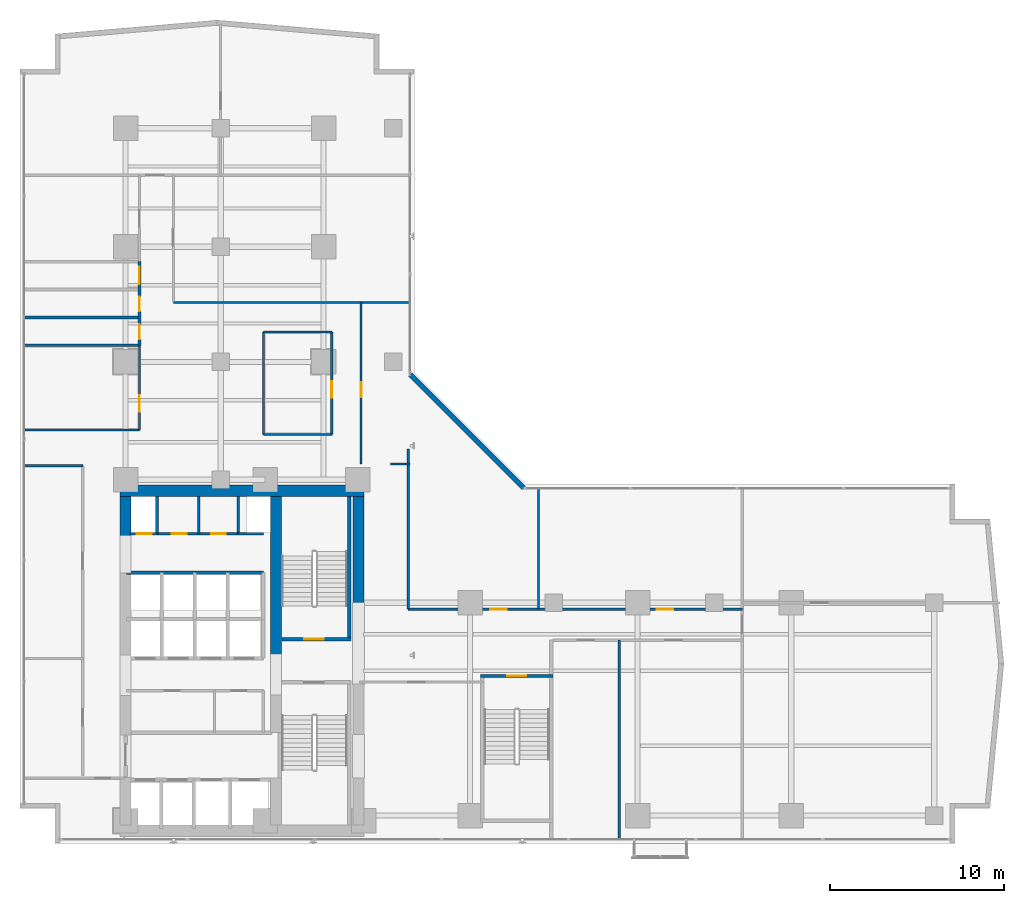
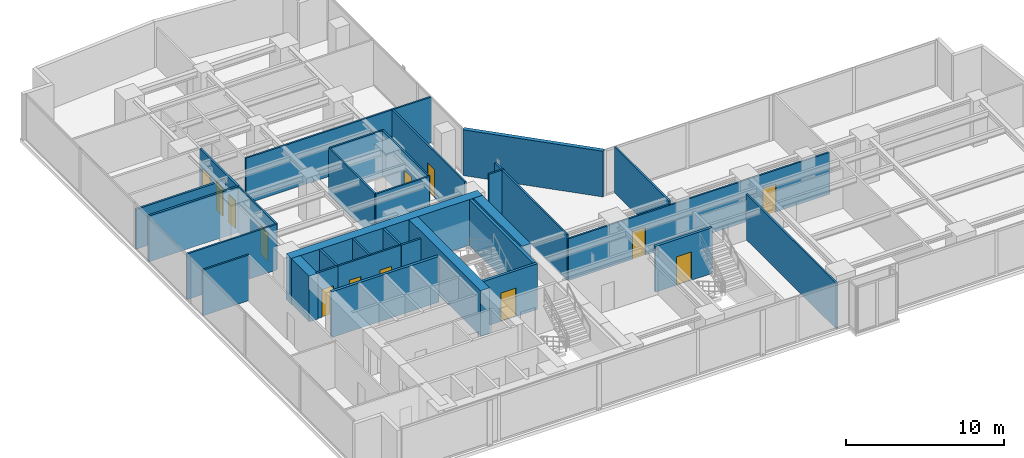
# One storey, part 21 of 28: 32 walls, 13 doors, 13 openings.
"""IFC4 building model written with IfcOpenShell, lengths in metres."""

from ifc_helpers import new_model, si_unit, direction, frame, frame_2d, origin, place, context, subcontext, project, spatial, rectangle, extrude, material, layer, layer_set, type_object, element, fill, save


model = new_model("IFC4")

# Units and contexts
model_context = context("Model", 3, precision=1e-05, world=origin(), true_north=direction((0.0, 1.0)))
body_context = subcontext(model_context, "Body", "Model", "MODEL_VIEW")
ifc_project = project(units=[si_unit("LENGTHUNIT", "METRE"), si_unit("AREAUNIT", "SQUARE_METRE"), si_unit("VOLUMEUNIT", "CUBIC_METRE"), si_unit("PLANEANGLEUNIT", "RADIAN"), si_unit("MASSUNIT", "GRAM", prefix="KILO")], contexts=[model_context])

# Site, building, storey
site_placement = place(None, origin())
site = spatial("IfcSite", under=ifc_project, at=site_placement, CompositionType="ELEMENT")
building_placement = place(site_placement, origin())
building = spatial("IfcBuilding", under=site, at=building_placement, Name="Kolvaren Waterfront Exchange", CompositionType="ELEMENT")
storey_placement = place(building_placement, frame((0.0, 0.0, 133.5)))
storey = spatial("IfcBuildingStorey", under=building, at=storey_placement, Name="L34", CompositionType="ELEMENT", Elevation=133.5)

# Wall
ifc_material_1 = material(Name="Precast concrete C40/50", Category="concrete")
ifc_layer_1 = layer(ifc_material_1, 0.280029296875, Name="Precast concrete C40/50")
ifc_layer_set_1 = layer_set([ifc_layer_1], Name="Precast concrete C40/50")
wall_type_1 = type_object("IfcWallType", Name="ARC-EXT-TERR-280", PredefinedType="SOLIDWALL", material=ifc_layer_set_1)
wall_1_placement = place(storey_placement, frame((30.284912109375, 23.97509765625, 0.0), z_axis=(0.0, 0.0, 1.0), x_axis=(-0.707106781187, 0.707106781187, 0.0)))
element("IfcWall", 1, at=wall_1_placement, inside=storey, type_object=wall_type_1, Name="L34 notched corner spandrel pier ELBOW", PredefinedType="SOLIDWALL", context=body_context, shape_type="SweptSolid", body=[
    extrude(rectangle(XDim=9.20654296875, YDim=0.280029296875, at=frame_2d((4.603271484375, 0.0))), origin(), (0.0, 0.0, 1.0), 3.5400390625),
])

# Wall, opening, door
ifc_layer_2 = layer(ifc_material_1, 0.199951171875, Name="Precast concrete C40/50")
ifc_layer_set_2 = layer_set([ifc_layer_2], Name="Precast concrete C40/50")
wall_type_2 = type_object("IfcWallType", Name="ARC-FIRE-200", PredefinedType="PARTITIONING", material=ifc_layer_set_2)
wall_2_placement = place(storey_placement, frame((16.409912109375, 15.300048828125, 0.0), z_axis=(0.0, 0.0, 1.0), x_axis=(1.0, 0.0, 0.0)))
wall_2 = element("IfcWall", 2, at=wall_2_placement, inside=storey, type_object=wall_type_2, Name="L34 interior wall PW-L34-ST2-THROAT-N", PredefinedType="PARTITIONING", context=body_context, shape_type="SweptSolid", body=[
    extrude(rectangle(XDim=3.9501953125, YDim=0.199951171875, at=frame_2d((1.97509765625, 0.0))), origin(), (0.0, 0.0, 1.0), 3.5400390625),
])
opening_1_placement = place(wall_2_placement, frame((1.293701171875, 0.0, 0.0)))
opening_1 = element("IfcOpeningElement", 3, at=opening_1_placement, cuts=wall_2, Name="Opening FD2", PredefinedType="OPENING", context=body_context, shape_type="SweptSolid", body=[
    extrude(rectangle(XDim=1.10009765625, YDim=2.199951171875, at=frame_2d((0.550048828125, 1.10009765625))), frame((0.0, 0.10986328125, 0.0), z_axis=(0.0, -1.0, 0.0), x_axis=(1.0, 0.0, 0.0)), (0.0, 0.0, 1.0), 0.219970703125),
])
ifc_material_2 = material(Name="Pressed steel smoke-seal fire door", Category="steel")
door_type_1 = type_object("IfcDoorType", Name="ARC-FD-1100", OperationType="NOTDEFINED", PredefinedType="DOOR", material=ifc_material_2)
door_1_placement = place(opening_1_placement, origin())
door_1 = element("IfcDoor", 4, at=door_1_placement, inside=storey, type_object=door_type_1, Name="L34 door DR-L34-ST2-IN (FD2)", OperationType="SINGLE_SWING_LEFT", OverallHeight=2.199951171875, OverallWidth=1.10009765625, PredefinedType="DOOR", context=body_context, shape_type="SweptSolid", body=[
    extrude(rectangle(XDim=1.10009765625, YDim=2.199951171875, at=frame_2d((0.550048828125, 1.10009765625))), frame((0.0, 0.02490234375, 0.0), z_axis=(0.0, -1.0, 0.0), x_axis=(1.0, 0.0, 0.0)), (0.0, 0.0, 1.0), 0.050048828125),
])
fill(opening_1, door_1)

# Wall, openings, doors
ifc_material_3 = material(Name="Acoustic gypsum steel stud", Category="steel")
ifc_layer_3 = layer(ifc_material_3, 0.125, Name="Acoustic gypsum steel stud")
ifc_layer_set_3 = layer_set([ifc_layer_3], Name="Acoustic gypsum steel stud")
wall_type_3 = type_object("IfcWallType", Name="ARC-PART-125", PredefinedType="PARTITIONING", material=ifc_layer_set_3)
wall_3_placement = place(storey_placement, frame((9.25, 21.35009765625, 0.0), z_axis=(0.0, 0.0, 1.0), x_axis=(1.0, 0.0, 0.0)))
wall_3 = element("IfcWall", 5, at=wall_3_placement, inside=storey, type_object=wall_type_3, Name="L34 interior wall PW-L34-SVC-EX-S", PredefinedType="PARTITIONING", context=body_context, shape_type="SweptSolid", body=[
    extrude(rectangle(XDim=4.64990234375, YDim=0.125, at=frame_2d((2.324951171875, 0.0))), origin(), (0.0, 0.0, 1.0), 3.5400390625),
])
opening_2_placement = place(wall_3_placement, frame((0.85009765625, 0.0, 0.0)))
opening_2 = element("IfcOpeningElement", 6, at=opening_2_placement, cuts=wall_3, Name="Opening D01", PredefinedType="OPENING", context=body_context, shape_type="SweptSolid", body=[
    extrude(rectangle(XDim=0.85009765625, YDim=2.14990234375, at=frame_2d((0.425048828125, 1.074951171875))), frame((0.0, 0.072509765625, 0.0), z_axis=(0.0, -1.0, 0.0), x_axis=(1.0, 0.0, 0.0)), (0.0, 0.0, 1.0), 0.14501953125),
])
opening_3_placement = place(wall_3_placement, frame((3.10009765625, 0.0, 0.0)))
opening_3 = element("IfcOpeningElement", 7, at=opening_3_placement, cuts=wall_3, Name="Opening D01", PredefinedType="OPENING", context=body_context, shape_type="SweptSolid", body=[
    extrude(rectangle(XDim=0.85009765625, YDim=2.14990234375, at=frame_2d((0.425048828125, 1.074951171875))), frame((0.0, 0.072509765625, 0.0), z_axis=(0.0, -1.0, 0.0), x_axis=(1.0, 0.0, 0.0)), (0.0, 0.0, 1.0), 0.14501953125),
])
ifc_material_4 = material(Name="Oak veneer timber leaf", Category="wood")
door_type_2 = type_object("IfcDoorType", Name="ARC-DR-900", OperationType="NOTDEFINED", PredefinedType="DOOR", material=ifc_material_4)
door_2_placement = place(opening_2_placement, origin())
door_2 = element("IfcDoor", 8, at=door_2_placement, inside=storey, type_object=door_type_2, Name="L34 door DR-L34-SVC-DR-1 (D01)", OperationType="SINGLE_SWING_LEFT", OverallHeight=2.14990234375, OverallWidth=0.85009765625, PredefinedType="DOOR", context=body_context, shape_type="SweptSolid", body=[
    extrude(rectangle(XDim=0.85009765625, YDim=2.14990234375, at=frame_2d((0.425048828125, 1.074951171875))), frame((0.0, 0.02490234375, 0.0), z_axis=(0.0, -1.0, 0.0), x_axis=(1.0, 0.0, 0.0)), (0.0, 0.0, 1.0), 0.050048828125),
])
fill(opening_2, door_2)
door_3_placement = place(opening_3_placement, origin())
door_3 = element("IfcDoor", 9, at=door_3_placement, inside=storey, type_object=door_type_2, Name="L34 door DR-L34-SVC-DR-2 (D01)", OperationType="SINGLE_SWING_RIGHT", OverallHeight=2.14990234375, OverallWidth=0.85009765625, PredefinedType="DOOR", context=body_context, shape_type="SweptSolid", body=[
    extrude(rectangle(XDim=0.85009765625, YDim=2.14990234375, at=frame_2d((0.425048828125, 1.074951171875))), frame((0.0, 0.02490234375, 0.0), z_axis=(0.0, -1.0, 0.0), x_axis=(1.0, 0.0, 0.0)), (0.0, 0.0, 1.0), 0.050048828125),
])
fill(opening_3, door_3)

# Walls
wall_4_placement = place(storey_placement, frame((11.64990234375, 21.35009765625, 0.0), z_axis=(0.0, 0.0, 1.0), x_axis=(0.0, 1.0, 0.0)))
element("IfcWall", 10, at=wall_4_placement, inside=storey, type_object=wall_type_3, Name="L34 interior wall PW-L34-SVC-EX-M1", PredefinedType="PARTITIONING", context=body_context, shape_type="SweptSolid", body=[
    extrude(rectangle(XDim=2.1298828125, YDim=0.125, at=frame_2d((1.06494140625, 0.0))), origin(), (0.0, 0.0, 1.0), 3.5400390625),
])
for number, where, z_axis, x_axis, name in (
    (11, (15.35009765625, 27.050048828125, 0.0), (0.0, 0.0, 1.0), (1.0, 0.0, 0.0), "L34 interior wall PW-L34-ISL-S"),
    (12, (15.35009765625, 32.919921875, 0.0), (0.0, 0.0, 1.0), (1.0, 0.0, 0.0), "L34 interior wall PW-L34-ISL-N"),
):
    element("IfcWall", number, at=place(storey_placement, frame(where, z_axis=z_axis, x_axis=x_axis)), inside=storey, type_object=wall_type_3, Name=name, PredefinedType="PARTITIONING", context=body_context, shape_type="SweptSolid", body=[
        extrude(rectangle(XDim=3.919921875, YDim=0.125, at=frame_2d((1.9599609375, 0.0))), origin(), (0.0, 0.0, 1.0), 3.5400390625),
    ])
wall_5_placement = place(storey_placement, frame((15.35009765625, 27.050048828125, 0.0), z_axis=(0.0, 0.0, 1.0), x_axis=(0.0, 1.0, 0.0)))
element("IfcWall", 13, at=wall_5_placement, inside=storey, type_object=wall_type_3, Name="L34 interior wall PW-L34-ISL-W", PredefinedType="PARTITIONING", context=body_context, shape_type="SweptSolid", body=[
    extrude(rectangle(XDim=5.869873046875, YDim=0.125, at=frame_2d((2.93505859375, 0.0))), origin(), (0.0, 0.0, 1.0), 3.5400390625),
])

# Wall, opening, door
wall_6_placement = place(storey_placement, frame((19.27001953125, 27.050048828125, 0.0), z_axis=(0.0, 0.0, 1.0), x_axis=(0.0, 1.0, 0.0)))
wall_6 = element("IfcWall", 14, at=wall_6_placement, inside=storey, type_object=wall_type_3, Name="L34 interior wall PW-L34-ISL-E", PredefinedType="PARTITIONING", context=body_context, shape_type="SweptSolid", body=[
    extrude(rectangle(XDim=5.869873046875, YDim=0.125, at=frame_2d((2.93505859375, 0.0))), origin(), (0.0, 0.0, 1.0), 3.5400390625),
])
opening_4_placement = place(wall_6_placement, frame((2.106201171875, 0.0, 0.0)))
opening_4 = element("IfcOpeningElement", 15, at=opening_4_placement, cuts=wall_6, Name="Opening D02", PredefinedType="OPENING", context=body_context, shape_type="SweptSolid", body=[
    extrude(rectangle(XDim=0.949951171875, YDim=2.14990234375, at=frame_2d((0.47509765625, 1.074951171875))), frame((0.0, 0.072509765625, 0.0), z_axis=(0.0, -1.0, 0.0), x_axis=(1.0, 0.0, 0.0)), (0.0, 0.0, 1.0), 0.14501953125),
])
ifc_material_5 = material(Name="Oak veneer acoustic timber", Category="wood")
door_type_3 = type_object("IfcDoorType", Name="ARC-DR-950", OperationType="NOTDEFINED", PredefinedType="DOOR", material=ifc_material_5)
door_4_placement = place(opening_4_placement, origin())
door_4 = element("IfcDoor", 16, at=door_4_placement, inside=storey, type_object=door_type_3, Name="L34 door DR-L34-ISL-D (D02)", OperationType="SINGLE_SWING_LEFT", OverallHeight=2.14990234375, OverallWidth=0.949951171875, PredefinedType="DOOR", context=body_context, shape_type="SweptSolid", body=[
    extrude(rectangle(XDim=0.949951171875, YDim=2.14990234375, at=frame_2d((0.47509765625, 1.074951171875))), frame((0.0, 0.02490234375, 0.0), z_axis=(0.0, -1.0, 0.0), x_axis=(1.0, 0.0, 0.0)), (0.0, 0.0, 1.0), 0.050048828125),
])
fill(opening_4, door_4)

wall_7_placement = place(storey_placement, frame((8.25, 27.300048828125, 0.0), z_axis=(0.0, 0.0, 1.0), x_axis=(0.0, 1.0, 0.0)))
wall_7 = element("IfcWall", 17, at=wall_7_placement, inside=storey, type_object=wall_type_3, Name="L34 interior wall PW-L34-PREWC-E", PredefinedType="PARTITIONING", context=body_context, shape_type="SweptSolid", body=[
    extrude(rectangle(XDim=4.849853515625, YDim=0.125, at=frame_2d((2.4248046875, 0.0))), origin(), (0.0, 0.0, 1.0), 3.5400390625),
])
opening_5_placement = place(wall_7_placement, frame((1.050048828125, 0.0, 0.0)))
opening_5 = element("IfcOpeningElement", 18, at=opening_5_placement, cuts=wall_7, Name="Opening D02", PredefinedType="OPENING", context=body_context, shape_type="SweptSolid", body=[
    extrude(rectangle(XDim=0.949951171875, YDim=2.14990234375, at=frame_2d((0.47509765625, 1.074951171875))), frame((0.0, 0.072509765625, 0.0), z_axis=(0.0, -1.0, 0.0), x_axis=(1.0, 0.0, 0.0)), (0.0, 0.0, 1.0), 0.14501953125),
])
door_5_placement = place(opening_5_placement, origin())
door_5 = element("IfcDoor", 19, at=door_5_placement, inside=storey, type_object=door_type_3, Name="L34 door DR-L34-PREWC-D (D02)", OperationType="SINGLE_SWING_RIGHT", OverallHeight=2.14990234375, OverallWidth=0.949951171875, PredefinedType="DOOR", context=body_context, shape_type="SweptSolid", body=[
    extrude(rectangle(XDim=0.949951171875, YDim=2.14990234375, at=frame_2d((0.47509765625, 1.074951171875))), frame((0.0, 0.02490234375, 0.0), z_axis=(0.0, -1.0, 0.0), x_axis=(1.0, 0.0, 0.0)), (0.0, 0.0, 1.0), 0.050048828125),
])
fill(opening_5, door_5)

# Walls
wall_8_placement = place(storey_placement, frame((1.639892578125, 27.300048828125, 0.0), z_axis=(0.0, 0.0, 1.0), x_axis=(1.0, 0.0, 0.0)))
element("IfcWall", 20, at=wall_8_placement, inside=storey, type_object=wall_type_3, Name="L34 interior wall PW-L34-PREWC-S", PredefinedType="PARTITIONING", context=body_context, shape_type="SweptSolid", body=[
    extrude(rectangle(XDim=6.610107421875, YDim=0.125, at=frame_2d((3.30517578125, 0.0))), origin(), (0.0, 0.0, 1.0), 3.5400390625),
])
wall_9_placement = place(storey_placement, frame((1.639892578125, 25.25, 0.0), z_axis=(0.0, 0.0, 1.0), x_axis=(1.0, 0.0, 0.0)))
element("IfcWall", 21, at=wall_9_placement, inside=storey, type_object=wall_type_3, Name="L34 interior wall PW-L34-WFLANK-N", PredefinedType="PARTITIONING", context=body_context, shape_type="SweptSolid", body=[
    extrude(rectangle(XDim=3.360107421875, YDim=0.125, at=frame_2d((1.68017578125, 0.0))), origin(), (0.0, 0.0, 1.0), 3.5400390625),
])

# Wall, opening, door
wall_10_placement = place(storey_placement, frame((20.949951171875, 25.35009765625, 0.0), z_axis=(0.0, 0.0, 1.0), x_axis=(0.0, 1.0, 0.0)))
wall_10 = element("IfcWall", 22, at=wall_10_placement, inside=storey, type_object=wall_type_3, Name="L34 interior wall PW-L34-RFLANK-W", PredefinedType="PARTITIONING", context=body_context, shape_type="SweptSolid", body=[
    extrude(rectangle(XDim=9.25, YDim=0.125, at=frame_2d((4.625, 0.0))), origin(), (0.0, 0.0, 1.0), 3.5400390625),
])
opening_6_placement = place(wall_10_placement, frame((3.8330078125, 0.0, 0.0)))
opening_6 = element("IfcOpeningElement", 23, at=opening_6_placement, cuts=wall_10, Name="Opening D01", PredefinedType="OPENING", context=body_context, shape_type="SweptSolid", body=[
    extrude(rectangle(XDim=0.85009765625, YDim=2.14990234375, at=frame_2d((0.425048828125, 1.074951171875))), frame((0.0, 0.072509765625, 0.0), z_axis=(0.0, -1.0, 0.0), x_axis=(1.0, 0.0, 0.0)), (0.0, 0.0, 1.0), 0.14501953125),
])
door_6_placement = place(opening_6_placement, origin())
door_6 = element("IfcDoor", 24, at=door_6_placement, inside=storey, type_object=door_type_2, Name="L34 door DR-L34-RFLANK-D (D01)", OperationType="SINGLE_SWING_RIGHT", OverallHeight=2.14990234375, OverallWidth=0.85009765625, PredefinedType="DOOR", context=body_context, shape_type="SweptSolid", body=[
    extrude(rectangle(XDim=0.85009765625, YDim=2.14990234375, at=frame_2d((0.425048828125, 1.074951171875))), frame((0.0, 0.02490234375, 0.0), z_axis=(0.0, -1.0, 0.0), x_axis=(1.0, 0.0, 0.0)), (0.0, 0.0, 1.0), 0.050048828125),
])
fill(opening_6, door_6)

# Walls
wall_11_placement = place(storey_placement, frame((22.64990234375, 25.35009765625, 0.0), z_axis=(0.0, 0.0, 1.0), x_axis=(1.0, 0.0, 0.0)))
element("IfcWall", 25, at=wall_11_placement, inside=storey, type_object=wall_type_3, Name="L34 interior wall PW-L34-RFLANK-S", PredefinedType="PARTITIONING", context=body_context, shape_type="SweptSolid", body=[
    extrude(rectangle(XDim=1.110107421875, YDim=0.125, at=frame_2d((0.55517578125, 0.0))), origin(), (0.0, 0.0, 1.0), 3.5400390625),
])
wall_12_placement = place(storey_placement, frame((10.18994140625, 34.60009765625, 0.0), z_axis=(0.0, 0.0, 1.0), x_axis=(1.0, 0.0, 0.0)))
element("IfcWall", 26, at=wall_12_placement, inside=storey, type_object=wall_type_3, Name="L34 interior wall PW-L34-RFLANK-N", PredefinedType="PARTITIONING", context=body_context, shape_type="SweptSolid", body=[
    extrude(rectangle(XDim=13.570068359375, YDim=0.125, at=frame_2d((6.78515625, 0.0))), origin(), (0.0, 0.0, 1.0), 3.5400390625),
])
wall_13_placement = place(storey_placement, frame((35.75, 3.840087890625, 0.0), z_axis=(0.0, 0.0, 1.0), x_axis=(0.0, 1.0, 0.0)))
element("IfcWall", 27, at=wall_13_placement, inside=storey, type_object=wall_type_3, Name="L34 interior wall PW-L34-ES-DIV-1", PredefinedType="PARTITIONING", context=body_context, shape_type="SweptSolid", body=[
    extrude(rectangle(XDim=11.409912109375, YDim=0.125, at=frame_2d((5.705078125, 0.0))), origin(), (0.0, 0.0, 1.0), 3.5400390625),
])
wall_14_placement = place(storey_placement, frame((23.64990234375, 17.030029296875, 0.0), z_axis=(0.0, 0.0, 1.0), x_axis=(0.0, 1.0, 0.0)))
element("IfcWall", 28, at=wall_14_placement, inside=storey, type_object=wall_type_3, Name="L34 interior wall PW-L34-EN-W0", PredefinedType="PARTITIONING", context=body_context, shape_type="SweptSolid", body=[
    extrude(rectangle(XDim=9.169921875, YDim=0.125, at=frame_2d((4.5849609375, 0.0))), origin(), (0.0, 0.0, 1.0), 3.5400390625),
])

# Wall, openings, doors
wall_15_placement = place(storey_placement, frame((23.64990234375, 17.030029296875, 0.0), z_axis=(0.0, 0.0, 1.0), x_axis=(1.0, 0.0, 0.0)))
wall_15 = element("IfcWall", 29, at=wall_15_placement, inside=storey, type_object=wall_type_3, Name="L34 interior wall PW-L34-EN-CORR", PredefinedType="PARTITIONING", context=body_context, shape_type="SweptSolid", body=[
    extrude(rectangle(XDim=19.150146484375, YDim=0.125, at=frame_2d((9.5751953125, 0.0))), origin(), (0.0, 0.0, 1.0), 3.239990234375),
])
opening_7_placement = place(wall_15_placement, frame((4.68994140625, 0.0, 0.0)))
opening_7 = element("IfcOpeningElement", 30, at=opening_7_placement, cuts=wall_15, Name="Opening D02", PredefinedType="OPENING", context=body_context, shape_type="SweptSolid", body=[
    extrude(rectangle(XDim=0.949951171875, YDim=2.14990234375, at=frame_2d((0.47509765625, 1.074951171875))), frame((0.0, 0.072509765625, 0.0), z_axis=(0.0, -1.0, 0.0), x_axis=(1.0, 0.0, 0.0)), (0.0, 0.0, 1.0), 0.14501953125),
])
opening_8_placement = place(wall_15_placement, frame((14.253662109375, 0.0, 0.0)))
opening_8 = element("IfcOpeningElement", 31, at=opening_8_placement, cuts=wall_15, Name="Opening D02", PredefinedType="OPENING", context=body_context, shape_type="SweptSolid", body=[
    extrude(rectangle(XDim=0.949951171875, YDim=2.14990234375, at=frame_2d((0.47509765625, 1.074951171875))), frame((0.0, 0.072509765625, 0.0), z_axis=(0.0, -1.0, 0.0), x_axis=(1.0, 0.0, 0.0)), (0.0, 0.0, 1.0), 0.14501953125),
])
door_7_placement = place(opening_7_placement, origin())
door_7 = element("IfcDoor", 32, at=door_7_placement, inside=storey, type_object=door_type_3, Name="L34 door DR-L34-EN-D-1 (D02)", OperationType="SINGLE_SWING_LEFT", OverallHeight=2.14990234375, OverallWidth=0.949951171875, PredefinedType="DOOR", context=body_context, shape_type="SweptSolid", body=[
    extrude(rectangle(XDim=0.949951171875, YDim=2.14990234375, at=frame_2d((0.47509765625, 1.074951171875))), frame((0.0, 0.02490234375, 0.0), z_axis=(0.0, -1.0, 0.0), x_axis=(1.0, 0.0, 0.0)), (0.0, 0.0, 1.0), 0.050048828125),
])
fill(opening_7, door_7)
door_8_placement = place(opening_8_placement, origin())
door_8 = element("IfcDoor", 33, at=door_8_placement, inside=storey, type_object=door_type_3, Name="L34 door DR-L34-EN-D-2 (D02)", OperationType="SINGLE_SWING_RIGHT", OverallHeight=2.14990234375, OverallWidth=0.949951171875, PredefinedType="DOOR", context=body_context, shape_type="SweptSolid", body=[
    extrude(rectangle(XDim=0.949951171875, YDim=2.14990234375, at=frame_2d((0.47509765625, 1.074951171875))), frame((0.0, 0.02490234375, 0.0), z_axis=(0.0, -1.0, 0.0), x_axis=(1.0, 0.0, 0.0)), (0.0, 0.0, 1.0), 0.050048828125),
])
fill(opening_8, door_8)

# Walls
wall_16_placement = place(storey_placement, frame((31.1201171875, 17.030029296875, 0.0), z_axis=(0.0, 0.0, 1.0), x_axis=(0.0, 1.0, 0.0)))
element("IfcWall", 34, at=wall_16_placement, inside=storey, type_object=wall_type_3, Name="L34 interior wall PW-L34-EN-DIV-1", PredefinedType="PARTITIONING", context=body_context, shape_type="SweptSolid", body=[
    extrude(rectangle(XDim=6.929931640625, YDim=0.125, at=frame_2d((3.46484375, 0.0))), origin(), (0.0, 0.0, 1.0), 3.5400390625),
])
ifc_material_6 = material(Name="Gypsum fireboard steel stud", Category="steel")
ifc_layer_4 = layer(ifc_material_6, 0.14990234375, Name="Gypsum fireboard steel stud")
ifc_layer_set_4 = layer_set([ifc_layer_4], Name="Gypsum fireboard steel stud")
wall_type_4 = type_object("IfcWallType", Name="ARC-PART-150", PredefinedType="PARTITIONING", material=ifc_layer_set_4)
for number, where, z_axis, x_axis, name in (
    (35, (9.25, 21.35009765625, 0.0), (0.0, 0.0, 1.0), (0.0, 1.0, 0.0), "L34 interior wall PW-L34-SVC-R1"),
    (36, (13.89990234375, 21.35009765625, 0.0), (0.0, 0.0, 1.0), (0.0, 1.0, 0.0), "L34 interior wall PW-L34-SVC-R2"),
):
    element("IfcWall", number, at=place(storey_placement, frame(where, z_axis=z_axis, x_axis=x_axis)), inside=storey, type_object=wall_type_4, Name=name, PredefinedType="PARTITIONING", context=body_context, shape_type="SweptSolid", body=[
        extrude(rectangle(XDim=2.1298828125, YDim=0.14990234375, at=frame_2d((1.06494140625, 0.0))), origin(), (0.0, 0.0, 1.0), 3.5400390625),
    ])

# Wall, opening, door
wall_17_placement = place(storey_placement, frame((7.699951171875, 21.35009765625, 0.0), z_axis=(0.0, 0.0, 1.0), x_axis=(1.0, 0.0, 0.0)))
wall_17 = element("IfcWall", 37, at=wall_17_placement, inside=storey, type_object=wall_type_4, Name="L34 interior wall PW-L34-SVC-RE-S", PredefinedType="PARTITIONING", context=body_context, shape_type="SweptSolid", body=[
    extrude(rectangle(XDim=1.550048828125, YDim=0.14990234375, at=frame_2d((0.77490234375, 0.0))), origin(), (0.0, 0.0, 1.0), 3.5400390625),
])
opening_9_placement = place(wall_17_placement, frame((0.389892578125, 0.0, 0.0)))
opening_9 = element("IfcOpeningElement", 38, at=opening_9_placement, cuts=wall_17, Name="Opening FD1", PredefinedType="OPENING", context=body_context, shape_type="SweptSolid", body=[
    extrude(rectangle(XDim=0.85009765625, YDim=2.14990234375, at=frame_2d((0.425048828125, 1.074951171875))), frame((0.0, 0.0849609375, 0.0), z_axis=(0.0, -1.0, 0.0), x_axis=(1.0, 0.0, 0.0)), (0.0, 0.0, 1.0), 0.169921875),
])
ifc_material_7 = material(Name="Pressed steel fire leaf", Category="steel")
door_type_4 = type_object("IfcDoorType", Name="ARC-FD-900", OperationType="NOTDEFINED", PredefinedType="DOOR", material=ifc_material_7)
door_9_placement = place(opening_9_placement, origin())
door_9 = element("IfcDoor", 39, at=door_9_placement, inside=storey, type_object=door_type_4, Name="L34 door DR-L34-RISER-E-DR (FD1)", OperationType="SINGLE_SWING_RIGHT", OverallHeight=2.14990234375, OverallWidth=0.85009765625, PredefinedType="DOOR", context=body_context, shape_type="SweptSolid", body=[
    extrude(rectangle(XDim=0.85009765625, YDim=2.14990234375, at=frame_2d((0.425048828125, 1.074951171875))), frame((0.0, 0.02490234375, 0.0), z_axis=(0.0, -1.0, 0.0), x_axis=(1.0, 0.0, 0.0)), (0.0, 0.0, 1.0), 0.050048828125),
])
fill(opening_9, door_9)

# Walls
wall_18_placement = place(storey_placement, frame((13.89990234375, 21.35009765625, 0.0), z_axis=(0.0, 0.0, 1.0), x_axis=(1.0, 0.0, 0.0)))
element("IfcWall", 40, at=wall_18_placement, inside=storey, type_object=wall_type_4, Name="L34 interior wall PW-L34-SVC-RP-S", PredefinedType="PARTITIONING", context=body_context, shape_type="SweptSolid", body=[
    extrude(rectangle(XDim=1.4501953125, YDim=0.14990234375, at=frame_2d((0.72509765625, 0.0))), origin(), (0.0, 0.0, 1.0), 3.5400390625),
])
ifc_material_8 = material(Name="Moisture-resistant gypsum stud")
ifc_layer_5 = layer(ifc_material_8, 0.14990234375, Name="Moisture-resistant gypsum stud")
ifc_layer_set_5 = layer_set([ifc_layer_5], Name="Moisture-resistant gypsum stud")
wall_type_5 = type_object("IfcWallType", Name="ARC-PLUMB-150", PredefinedType="PLUMBINGWALL", material=ifc_layer_set_5)
wall_19_placement = place(storey_placement, frame((1.639892578125, 32.14990234375, 0.0), z_axis=(0.0, 0.0, 1.0), x_axis=(1.0, 0.0, 0.0)))
element("IfcWall", 41, at=wall_19_placement, inside=storey, type_object=wall_type_5, Name="L34 interior wall PW-L34-WC-0", PredefinedType="PLUMBINGWALL", context=body_context, shape_type="SweptSolid", body=[
    extrude(rectangle(XDim=6.610107421875, YDim=0.14990234375, at=frame_2d((3.30517578125, 0.0))), origin(), (0.0, 0.0, 1.0), 3.5400390625),
])

# Wall, openings, doors
wall_20_placement = place(storey_placement, frame((8.25, 32.14990234375, 0.0), z_axis=(0.0, 0.0, 1.0), x_axis=(0.0, 1.0, 0.0)))
wall_20 = element("IfcWall", 42, at=wall_20_placement, inside=storey, type_object=wall_type_5, Name="L34 interior wall PW-L34-WC-E", PredefinedType="PLUMBINGWALL", context=body_context, shape_type="SweptSolid", body=[
    extrude(rectangle(XDim=4.800048828125, YDim=0.14990234375, at=frame_2d((2.39990234375, 0.0))), origin(), (0.0, 0.0, 1.0), 3.5400390625),
])
opening_10_placement = place(wall_20_placement, frame((0.35009765625, 0.0, 0.0)))
opening_10 = element("IfcOpeningElement", 43, at=opening_10_placement, cuts=wall_20, Name="Opening D01", PredefinedType="OPENING", context=body_context, shape_type="SweptSolid", body=[
    extrude(rectangle(XDim=0.85009765625, YDim=2.14990234375, at=frame_2d((0.425048828125, 1.074951171875))), frame((0.0, 0.0849609375, 0.0), z_axis=(0.0, -1.0, 0.0), x_axis=(1.0, 0.0, 0.0)), (0.0, 0.0, 1.0), 0.169921875),
])
opening_11_placement = place(wall_20_placement, frame((1.949951171875, 0.0, 0.0)))
opening_11 = element("IfcOpeningElement", 44, at=opening_11_placement, cuts=wall_20, Name="Opening D01", PredefinedType="OPENING", context=body_context, shape_type="SweptSolid", body=[
    extrude(rectangle(XDim=0.85009765625, YDim=2.14990234375, at=frame_2d((0.425048828125, 1.074951171875))), frame((0.0, 0.0849609375, 0.0), z_axis=(0.0, -1.0, 0.0), x_axis=(1.0, 0.0, 0.0)), (0.0, 0.0, 1.0), 0.169921875),
])
opening_12_placement = place(wall_20_placement, frame((3.5, 0.0, 0.0)))
opening_12 = element("IfcOpeningElement", 45, at=opening_12_placement, cuts=wall_20, Name="Opening D03", PredefinedType="OPENING", context=body_context, shape_type="SweptSolid", body=[
    extrude(rectangle(XDim=1.0, YDim=2.199951171875, at=frame_2d((0.5, 1.10009765625))), frame((0.0, 0.0849609375, 0.0), z_axis=(0.0, -1.0, 0.0), x_axis=(1.0, 0.0, 0.0)), (0.0, 0.0, 1.0), 0.169921875),
])
ifc_material_9 = material(Name="Oak veneer accessible timber", Category="wood")
door_type_5 = type_object("IfcDoorType", Name="ARC-DR-1000", OperationType="NOTDEFINED", PredefinedType="DOOR", material=ifc_material_9)
door_10_placement = place(opening_12_placement, origin())
door_10 = element("IfcDoor", 46, at=door_10_placement, inside=storey, type_object=door_type_5, Name="L34 door DR-L34-WCA-D (D03)", OperationType="SINGLE_SWING_LEFT", OverallHeight=2.199951171875, OverallWidth=1.0, PredefinedType="DOOR", context=body_context, shape_type="SweptSolid", body=[
    extrude(rectangle(XDim=1.0, YDim=2.199951171875, at=frame_2d((0.5, 1.10009765625))), frame((0.0, 0.02490234375, 0.0), z_axis=(0.0, -1.0, 0.0), x_axis=(1.0, 0.0, 0.0)), (0.0, 0.0, 1.0), 0.050048828125),
])
fill(opening_12, door_10)
door_11_placement = place(opening_10_placement, origin())
door_11 = element("IfcDoor", 47, at=door_11_placement, inside=storey, type_object=door_type_2, Name="L34 door DR-L34-WCM-D (D01)", OperationType="SINGLE_SWING_LEFT", OverallHeight=2.14990234375, OverallWidth=0.85009765625, PredefinedType="DOOR", context=body_context, shape_type="SweptSolid", body=[
    extrude(rectangle(XDim=0.85009765625, YDim=2.14990234375, at=frame_2d((0.425048828125, 1.074951171875))), frame((0.0, 0.02490234375, 0.0), z_axis=(0.0, -1.0, 0.0), x_axis=(1.0, 0.0, 0.0)), (0.0, 0.0, 1.0), 0.050048828125),
])
fill(opening_10, door_11)
door_12_placement = place(opening_11_placement, origin())
door_12 = element("IfcDoor", 48, at=door_12_placement, inside=storey, type_object=door_type_2, Name="L34 door DR-L34-WCF-D (D01)", OperationType="SINGLE_SWING_RIGHT", OverallHeight=2.14990234375, OverallWidth=0.85009765625, PredefinedType="DOOR", context=body_context, shape_type="SweptSolid", body=[
    extrude(rectangle(XDim=0.85009765625, YDim=2.14990234375, at=frame_2d((0.425048828125, 1.074951171875))), frame((0.0, 0.02490234375, 0.0), z_axis=(0.0, -1.0, 0.0), x_axis=(1.0, 0.0, 0.0)), (0.0, 0.0, 1.0), 0.050048828125),
])
fill(opening_11, door_12)

# Walls
wall_21_placement = place(storey_placement, frame((1.639892578125, 33.75, 0.0), z_axis=(0.0, 0.0, 1.0), x_axis=(1.0, 0.0, 0.0)))
element("IfcWall", 49, at=wall_21_placement, inside=storey, type_object=wall_type_5, Name="L34 interior wall PW-L34-WC-1", PredefinedType="PLUMBINGWALL", context=body_context, shape_type="SweptSolid", body=[
    extrude(rectangle(XDim=6.610107421875, YDim=0.14990234375, at=frame_2d((3.30517578125, 0.0))), origin(), (0.0, 0.0, 1.0), 3.090087890625),
])
ifc_material_10 = material(Name="Concrete C40/50", Category="concrete")
ifc_layer_6 = layer(ifc_material_10, 0.199951171875, Name="Concrete C40/50")
ifc_layer_set_6 = layer_set([ifc_layer_6], Name="Concrete C40/50")
wall_type_6 = type_object("IfcWallType", Name="ARC-SHAFT-200", PredefinedType="PARTITIONING", material=ifc_layer_set_6)
wall_22_placement = place(storey_placement, frame((20.260009765625, 15.39990234375, 0.0), z_axis=(0.0, 0.0, 1.0), x_axis=(0.0, 1.0, 0.0)))
element("IfcWall", 50, at=wall_22_placement, inside=storey, type_object=wall_type_6, Name="L34 structural stairwell wall PW-L34-ST2-E", PredefinedType="SHEAR", context=body_context, shape_type="SweptSolid", body=[
    extrude(rectangle(XDim=8.090087890625, YDim=0.199951171875, at=frame_2d((4.044921875, 0.0))), origin(), (0.0, 0.0, 1.0), 3.5400390625),
])

# Wall, opening, door
wall_23_placement = place(storey_placement, frame((27.800048828125, 13.199951171875, 0.0), z_axis=(0.0, 0.0, 1.0), x_axis=(1.0, 0.0, 0.0)))
wall_23 = element("IfcWall", 51, at=wall_23_placement, inside=storey, type_object=wall_type_6, Name="L34 structural stairwell wall PW-L34-ST3-N", PredefinedType="SHEAR", context=body_context, shape_type="SweptSolid", body=[
    extrude(rectangle(XDim=4.159912109375, YDim=0.199951171875, at=frame_2d((2.080078125, 0.0))), origin(), (0.0, 0.0, 1.0), 3.5400390625),
])
opening_13_placement = place(wall_23_placement, frame((1.530029296875, 0.0, 0.0)))
opening_13 = element("IfcOpeningElement", 52, at=opening_13_placement, cuts=wall_23, Name="Opening FD2", PredefinedType="OPENING", context=body_context, shape_type="SweptSolid", body=[
    extrude(rectangle(XDim=1.10009765625, YDim=2.199951171875, at=frame_2d((0.550048828125, 1.10009765625))), frame((0.0, 0.10986328125, 0.0), z_axis=(0.0, -1.0, 0.0), x_axis=(1.0, 0.0, 0.0)), (0.0, 0.0, 1.0), 0.219970703125),
])
door_13_placement = place(opening_13_placement, frame((1.10009765625, 0.0, 0.0), z_axis=(0.0, 0.0, 1.0), x_axis=(-1.0, 0.0, 0.0)))
door_13 = element("IfcDoor", 53, at=door_13_placement, inside=storey, type_object=door_type_1, Name="L34 door DR-L34-ST3-IN (FD2)", OperationType="SINGLE_SWING_RIGHT", OverallHeight=2.199951171875, OverallWidth=1.10009765625, PredefinedType="DOOR", context=body_context, shape_type="SweptSolid", body=[
    extrude(rectangle(XDim=1.10009765625, YDim=2.199951171875, at=frame_2d((0.550048828125, 1.10009765625))), frame((0.0, 0.02490234375, 0.0), z_axis=(0.0, -1.0, 0.0), x_axis=(1.0, 0.0, 0.0)), (0.0, 0.0, 1.0), 0.050048828125),
])
fill(opening_13, door_13)

# Walls
wall_24_placement = place(storey_placement, frame((7.5, 19.1201171875, 0.0), z_axis=(0.0, 0.0, 1.0), x_axis=(1.0, 0.0, 0.0)))
element("IfcWall", 54, at=wall_24_placement, inside=storey, type_object=wall_type_6, Name="L34 interior wall PW-L34-PH-N", PredefinedType="PARTITIONING", context=body_context, shape_type="SweptSolid", body=[
    extrude(rectangle(XDim=7.85009765625, YDim=0.199951171875, at=frame_2d((3.925048828125, 0.0))), origin(), (0.0, 0.0, 1.0), 3.5400390625),
])
ifc_material_11 = material(Name="Concrete C60/75", Category="concrete")
ifc_layer_7 = layer(ifc_material_11, 0.64990234375, Name="Concrete C60/75")
ifc_layer_set_7 = layer_set([ifc_layer_7], Name="Concrete C60/75")
wall_type_7 = type_object("IfcWallType", Name="STR-CWALL-650", PredefinedType="SHEAR", material=ifc_layer_set_7)
wall_25_placement = place(storey_placement, frame((7.125, 23.824951171875, 0.0), z_axis=(0.0, 0.0, 1.0), x_axis=(1.0, 0.0, 0.0)))
element("IfcWall", 55, at=wall_25_placement, inside=storey, type_object=wall_type_7, Name="L34 rear-core shear wall N", PredefinedType="SHEAR", context=body_context, shape_type="SweptSolid", body=[
    extrude(rectangle(XDim=14.0, YDim=0.64990234375, at=frame_2d((7.0, 0.0))), origin(), (0.0, 0.0, 1.0), 3.5400390625),
])
wall_26_placement = place(storey_placement, frame((7.449951171875, 21.239990234375, 0.0), z_axis=(0.0, 0.0, 1.0), x_axis=(0.0, 1.0, 0.0)))
element("IfcWall", 56, at=wall_26_placement, inside=storey, type_object=wall_type_7, Name="L34 rear-core shear wall W3", PredefinedType="SHEAR", context=body_context, shape_type="SweptSolid", body=[
    extrude(rectangle(XDim=2.260009765625, YDim=0.64990234375, at=frame_2d((1.1298828125, 0.0))), origin(), (0.0, 0.0, 1.0), 3.5400390625),
])
wall_27_placement = place(storey_placement, frame((20.800048828125, 17.35009765625, 0.0), z_axis=(0.0, 0.0, 1.0), x_axis=(0.0, 1.0, 0.0)))
element("IfcWall", 57, at=wall_27_placement, inside=storey, type_object=wall_type_7, Name="L34 rear-core shear wall E3", PredefinedType="SHEAR", context=body_context, shape_type="SweptSolid", body=[
    extrude(rectangle(XDim=6.14990234375, YDim=0.64990234375, at=frame_2d((3.074951171875, 0.0))), origin(), (0.0, 0.0, 1.0), 3.5400390625),
])
wall_28_placement = place(storey_placement, frame((16.074951171875, 14.39990234375, 0.0), z_axis=(0.0, 0.0, 1.0), x_axis=(0.0, 1.0, 0.0)))
element("IfcWall", 58, at=wall_28_placement, inside=storey, type_object=wall_type_7, Name="L34 rear-core shear wall M3", PredefinedType="SHEAR", context=body_context, shape_type="SweptSolid", body=[
    extrude(rectangle(XDim=9.10009765625, YDim=0.64990234375, at=frame_2d((4.550048828125, 0.0))), origin(), (0.0, 0.0, 1.0), 3.5400390625),
])

save(model, "model.ifc")
